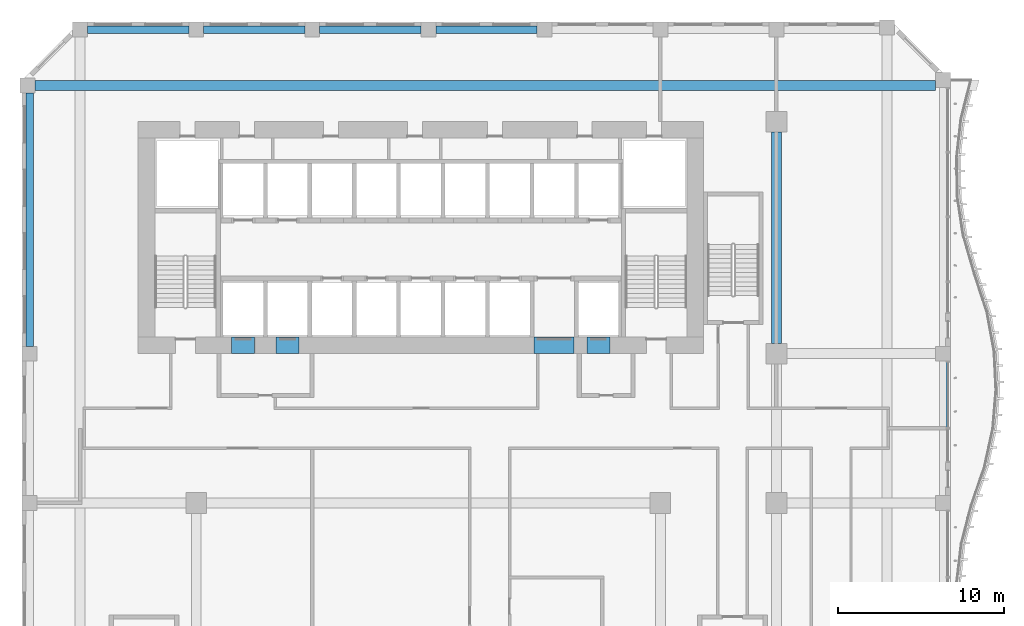
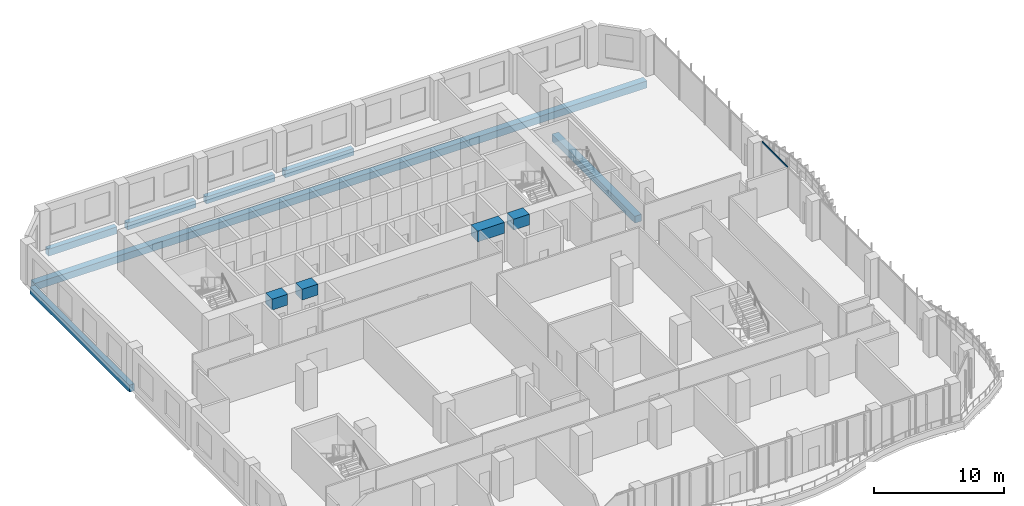
# One storey, part 10 of 28: 11 beams, 1 member, 1 element without a shape of its own.
"""IFC4 building model written with IfcOpenShell, lengths in metres."""

from ifc_helpers import new_model, si_unit, direction, frame, origin, origin_2d, place, context, subcontext, project, spatial, rectangle, extrude, source, transform, mapped, material, material_profile, profile_set, type_object, element, aggregate, save


model = new_model("IFC4")

# Units and contexts
model_context = context("Model", 3, precision=1e-05, world=origin(), true_north=direction((0.0, 1.0)))
body_context = subcontext(model_context, "Body", "Model", "MODEL_VIEW")
ifc_project = project(units=[si_unit("LENGTHUNIT", "METRE"), si_unit("AREAUNIT", "SQUARE_METRE"), si_unit("VOLUMEUNIT", "CUBIC_METRE"), si_unit("PLANEANGLEUNIT", "RADIAN"), si_unit("MASSUNIT", "GRAM", prefix="KILO")], contexts=[model_context])

# Site, building, storey
site_placement = place(None, origin())
site = spatial("IfcSite", under=ifc_project, at=site_placement, CompositionType="ELEMENT")
building_placement = place(site_placement, origin())
building = spatial("IfcBuilding", under=site, at=building_placement, Name="Kilnfold Tower and Market Hall", CompositionType="ELEMENT")
storey_placement = place(building_placement, frame((0.0, 0.0, 75.199951171875)))
storey = spatial("IfcBuildingStorey", under=building, at=storey_placement, Name="L17", CompositionType="ELEMENT", Elevation=75.199951171875)

# Beams
ifc_material_1 = material(Name="Concrete C45", Category="concrete")
ifc_material_profile_1 = material_profile(ifc_material_1, rectangle(XDim=0.449951171875, YDim=0.64990234375, at=origin_2d()), Name="RC 450x650")
ifc_profile_set_1 = profile_set([ifc_material_profile_1], Name="Concrete C45")
beam_type_1 = type_object("IfcBeamType", Name="EDGE BEAM 450X650 C45", PredefinedType="BEAM", material=ifc_profile_set_1)
shared_shape_1 = source(origin(), body_context, "Body", "SweptSolid", [
    extrude(rectangle(XDim=0.449951171875, YDim=0.64990234375, at=origin_2d()), origin(), (0.0, 0.0, 1.0), 6.10009765625),
])
for number, where, z_axis, x_axis, name in (
    (1, (-19.050048828125, 27.550048828125, -0.60498046875), (1.0, 0.0, 0.0), (0.0, 1.0, 0.0), "Beam EB650-B2.75"),
    (2, (-12.050048828125, 27.550048828125, -0.60498046875), (1.0, 0.0, 0.0), (0.0, 1.0, 0.0), "Beam EB650-B2.76"),
    (3, (-5.050048828125, 27.550048828125, -0.60498046875), (1.0, 0.0, 0.0), (0.0, 1.0, 0.0), "Beam EB650-B2.77"),
    (4, (1.949951171875, 27.550048828125, -0.60498046875), (1.0, 0.0, 0.0), (0.0, 1.0, 0.0), "Beam EB650-B2.78"),
):
    element("IfcBeam", number, at=place(storey_placement, frame(where, z_axis=z_axis, x_axis=x_axis)), inside=storey, type_object=beam_type_1, Name=name, PredefinedType="BEAM", context=body_context, shape_type="MappedRepresentation", body=[
        mapped(shared_shape_1, transform((0.0, 0.0, 0.0))),
    ])
ifc_material_2 = material(Name="Concrete C45", Category="concrete")
ifc_material_profile_2 = material_profile(ifc_material_2, rectangle(XDim=0.60009765625, YDim=0.64990234375, at=origin_2d()), Name="RC 600x650")
ifc_profile_set_2 = profile_set([ifc_material_profile_2], Name="Concrete C45")
beam_type_2 = type_object("IfcBeamType", Name="BEAM 600X650 C45", PredefinedType="BEAM", material=ifc_profile_set_2)
shared_shape_2 = source(origin(), body_context, "Body", "SweptSolid", [
    extrude(rectangle(XDim=0.60009765625, YDim=0.64990234375, at=origin_2d()), origin(), (0.0, 0.0, 1.0), 54.331787109375),
])
beam_1_placement = place(storey_placement, frame((-22.231689453125, 24.179931640625, -0.60498046875), z_axis=(1.0, 0.0, 0.0), x_axis=(0.0, 1.0, 0.0)))
element("IfcBeam", 5, at=beam_1_placement, inside=storey, type_object=beam_type_2, Name="Beam BB650-B2.74", PredefinedType="BEAM", context=body_context, shape_type="MappedRepresentation", body=[
    mapped(shared_shape_2, transform((0.0, 0.0, 0.0))),
])
shared_shape_3 = source(origin(), body_context, "Body", "SweptSolid", [
    extrude(rectangle(XDim=0.449951171875, YDim=0.64990234375, at=origin_2d()), origin(), (0.0, 0.0, 1.0), 15.28173828125),
])
beam_2_placement = place(storey_placement, frame((-22.550048828125, 8.449951171875, -0.60498046875), z_axis=(0.0, 1.0, 0.0), x_axis=(-1.0, 0.0, 0.0)))
element("IfcBeam", 6, at=beam_2_placement, inside=storey, type_object=beam_type_1, Name="Beam EB650-B2.41", PredefinedType="BEAM", context=body_context, shape_type="MappedRepresentation", body=[
    mapped(shared_shape_3, transform((0.0, 0.0, 0.0))),
])
ifc_material_3 = material(Name="Concrete C80", Category="concrete")
ifc_material_profile_3 = material_profile(ifc_material_3, rectangle(XDim=1.0, YDim=1.02001953125, at=origin_2d()), Name="RC 1000x1020")
ifc_profile_set_3 = profile_set([ifc_material_profile_3], Name="Concrete C80")
beam_type_3 = type_object("IfcBeamType", Name="COUPLING BEAM 1000X1020 C80", PredefinedType="BEAM", material=ifc_profile_set_3)
shared_shape_4 = source(origin(), body_context, "Body", "SweptSolid", [
    extrude(rectangle(XDim=1.0, YDim=1.02001953125, at=origin_2d()), origin(), (0.0, 0.0, 1.0), 1.400146484375),
])
beam_3_placement = place(storey_placement, frame((-10.3701171875, 8.5, 3.2099609375), z_axis=(1.0, 0.0, 0.0), x_axis=(0.0, 1.0, 0.0)))
element("IfcBeam", 7, at=beam_3_placement, inside=storey, type_object=beam_type_3, Name="Coupling beam CB1020-80-CORE.42", PredefinedType="BEAM", context=body_context, shape_type="MappedRepresentation", body=[
    mapped(shared_shape_4, transform((0.0, 0.0, 0.0))),
])
shared_shape_5 = source(origin(), body_context, "Body", "SweptSolid", [
    extrude(rectangle(XDim=1.0, YDim=1.02001953125, at=origin_2d()), origin(), (0.0, 0.0, 1.0), 1.39990234375),
])
for number, where, z_axis, x_axis, name in (
    (8, (-7.68994140625, 8.5, 3.2099609375), (1.0, 0.0, 0.0), (0.0, 1.0, 0.0), "Coupling beam CB1020-80-CORE.43"),
    (9, (11.070068359375, 8.5, 3.2099609375), (1.0, 0.0, 0.0), (0.0, 1.0, 0.0), "Coupling beam CB1020-80-CORE.45"),
):
    element("IfcBeam", number, at=place(storey_placement, frame(where, z_axis=z_axis, x_axis=x_axis)), inside=storey, type_object=beam_type_3, Name=name, PredefinedType="BEAM", context=body_context, shape_type="MappedRepresentation", body=[
        mapped(shared_shape_5, transform((0.0, 0.0, 0.0))),
    ])
shared_shape_6 = source(origin(), body_context, "Body", "SweptSolid", [
    extrude(rectangle(XDim=1.0, YDim=1.02001953125, at=origin_2d()), origin(), (0.0, 0.0, 1.0), 2.400146484375),
])
beam_4_placement = place(storey_placement, frame((7.889892578125, 8.5, 3.2099609375), z_axis=(1.0, 0.0, 0.0), x_axis=(0.0, 1.0, 0.0)))
element("IfcBeam", 10, at=beam_4_placement, inside=storey, type_object=beam_type_3, Name="Coupling beam CB1020-80-CORE.44", PredefinedType="BEAM", context=body_context, shape_type="MappedRepresentation", body=[
    mapped(shared_shape_6, transform((0.0, 0.0, 0.0))),
])
shared_shape_7 = source(origin(), body_context, "Body", "SweptSolid", [
    extrude(rectangle(XDim=0.60009765625, YDim=0.64990234375, at=origin_2d()), origin(), (0.0, 0.0, 1.0), 12.75),
])
beam_5_placement = place(storey_placement, frame((22.5, 8.625, -0.60498046875), z_axis=(0.0, 1.0, 0.0), x_axis=(-1.0, 0.0, 0.0)))
element("IfcBeam", 11, at=beam_5_placement, inside=storey, type_object=beam_type_2, Name="Beam BB650-B2.97", PredefinedType="BEAM", context=body_context, shape_type="MappedRepresentation", body=[
    mapped(shared_shape_7, transform((0.0, 0.0, 0.0))),
])

# Curtain wall, member
ifc_material_4 = material(Name="Aluminium and double glazing", Category="aluminium")
curtain_wall_type = type_object("IfcCurtainWallType", Name="CW OF1 VALLEY GLAZING", PredefinedType="NOTDEFINED", material=ifc_material_4)
curtain_wall_placement = place(storey_placement, origin())
curtain_wall = element("IfcCurtainWall", 12, at=curtain_wall_placement, inside=storey, type_object=curtain_wall_type, Name="Curtain wall CW1 L17 E", PredefinedType="NOTDEFINED")
ifc_material_5 = material(Name="Aluminium", Category="aluminium")
ifc_material_profile_4 = material_profile(ifc_material_5, rectangle(XDim=0.06005859375, YDim=0.139892578125, at=origin_2d()), Name="TRANSOM 60x140")
ifc_profile_set_4 = profile_set([ifc_material_profile_4], Name="Aluminium")
member_type = type_object("IfcMemberType", Name="TRANSOM 60X140", PredefinedType="USERDEFINED", material=ifc_profile_set_4)
shared_shape_8 = source(origin(), body_context, "Body", "SweptSolid", [
    extrude(rectangle(XDim=0.06005859375, YDim=0.139892578125, at=origin_2d()), origin(), (0.0, 0.0, 1.0), 3.929931640625),
])
member_placement = place(storey_placement, frame((32.85009765625, 3.56005859375, 3.68994140625), z_axis=(0.0, 1.0, 0.0), x_axis=(-1.0, 0.0, 0.0)))
member = element("IfcMember", 13, at=member_placement, type_object=member_type, Name="CW1 transom 1.2", ObjectType="TRANSOM", PredefinedType="USERDEFINED", context=body_context, shape_type="MappedRepresentation", body=[
    mapped(shared_shape_8, transform((0.0, 0.0, 0.0))),
])
aggregate(curtain_wall, [member])

save(model, "model.ifc")
